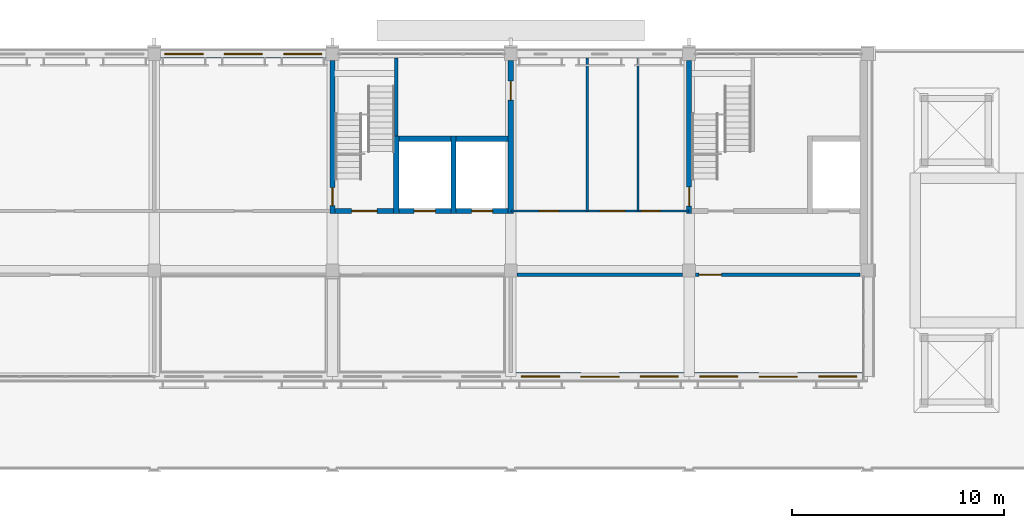
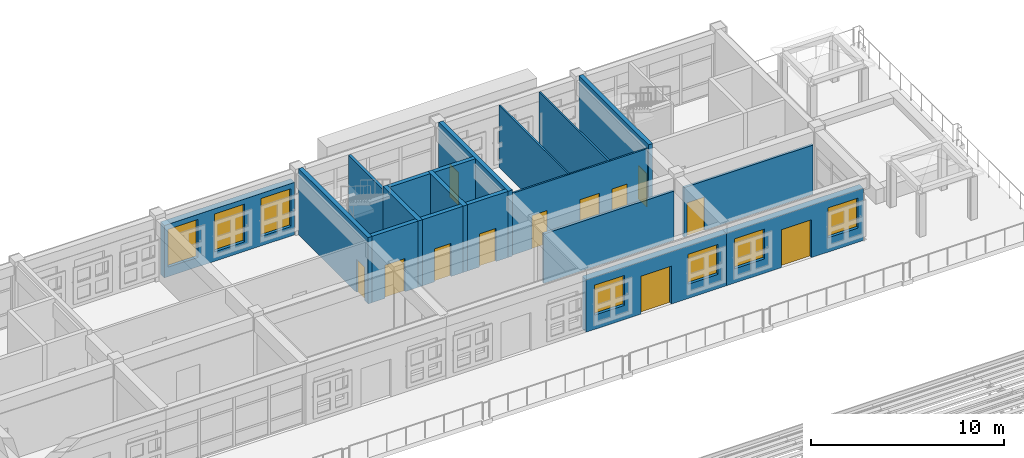
# One storey, part 43 of 71: 19 walls, 12 doors, 7 windows, 19 openings.
"""IFC4 building model written with IfcOpenShell, lengths in metres."""

from ifc_helpers import new_model, si_unit, direction, frame, frame_2d, origin, place, context, subcontext, project, spatial, rectangle, extrude, material, layer, layer_set, type_object, element, fill, save


model = new_model("IFC4")

# Units and contexts
model_context = context("Model", 3, precision=1e-05, world=origin(), true_north=direction((0.0, 1.0)))
body_context = subcontext(model_context, "Body", "Model", "MODEL_VIEW")
ifc_project = project(units=[si_unit("LENGTHUNIT", "METRE"), si_unit("AREAUNIT", "SQUARE_METRE"), si_unit("VOLUMEUNIT", "CUBIC_METRE"), si_unit("PLANEANGLEUNIT", "RADIAN"), si_unit("MASSUNIT", "GRAM", prefix="KILO")], contexts=[model_context])

# Site, building, storey
site_placement = place(None, origin())
site = spatial("IfcSite", under=ifc_project, at=site_placement, CompositionType="ELEMENT")
building_placement = place(site_placement, origin())
building = spatial("IfcBuilding", under=site, at=building_placement, Name="Wasatch Bagh Community Centre", CompositionType="ELEMENT")
storey_placement = place(building_placement, frame((0.0, 0.0, 12.60009765625)))
storey = spatial("IfcBuildingStorey", under=building, at=storey_placement, Name="L03", CompositionType="ELEMENT", Elevation=12.60009765625)

# Wall, opening, door
ifc_material_1 = material(Name="Concrete C40", Category="concrete")
ifc_layer_1 = layer(ifc_material_1, 0.25)
ifc_layer_set_1 = layer_set([ifc_layer_1], Name="Concrete C40")
wall_type_1 = type_object("IfcWallType", Name="LW core wall 250", PredefinedType="SHEAR", material=ifc_layer_set_1)
wall_1_placement = place(storey_placement, frame((106.125, 90.39990234375, 0.0), z_axis=(0.0, 0.0, 1.0), x_axis=(1.0, 0.0, 0.0)))
wall_1 = element("IfcWall", 1, at=wall_1_placement, inside=storey, type_object=wall_type_1, Name="LW.swall.L03.03", PredefinedType="SHEAR", context=body_context, shape_type="SweptSolid", body=[
    extrude(rectangle(XDim=2.75, YDim=0.25, at=frame_2d((1.375, 0.0))), origin(), (0.0, 0.0, 1.0), 4.199951171875),
])
opening_1_placement = place(wall_1_placement, frame((0.77490234375, 0.0, 0.0)))
opening_1 = element("IfcOpeningElement", 2, at=opening_1_placement, cuts=wall_1, Name="Opening 3L-24", PredefinedType="OPENING", context=body_context, shape_type="SweptSolid", body=[
    extrude(rectangle(XDim=1.199951171875, YDim=2.10009765625, at=frame_2d((0.60009765625, 1.050048828125))), frame((0.0, 0.135009765625, 0.0), z_axis=(0.0, -1.0, 0.0), x_axis=(1.0, 0.0, 0.0)), (0.0, 0.0, 1.0), 0.27001953125),
])
ifc_material_2 = material(Name="Painted timber", Category="wood")
door_type_1 = type_object("IfcDoorType", Name="LW stair door 1200x2100", OperationType="SINGLE_SWING_LEFT", PredefinedType="DOOR", material=ifc_material_2)
door_1_placement = place(opening_1_placement, origin())
door_1 = element("IfcDoor", 3, at=door_1_placement, inside=storey, type_object=door_type_1, Name="Stair door 3L-24", OperationType="SINGLE_SWING_RIGHT", OverallHeight=2.10009765625, OverallWidth=1.199951171875, PredefinedType="DOOR", context=body_context, shape_type="SweptSolid", body=[
    extrude(rectangle(XDim=1.199951171875, YDim=2.10009765625, at=frame_2d((0.60009765625, 1.050048828125))), frame((0.0, 0.02490234375, 0.0), z_axis=(0.0, -1.0, 0.0), x_axis=(1.0, 0.0, 0.0)), (0.0, 0.0, 1.0), 0.050048828125),
])
fill(opening_1, door_1)

wall_2_placement = place(storey_placement, frame((109.125, 90.39990234375, 0.0), z_axis=(0.0, 0.0, 1.0), x_axis=(1.0, 0.0, 0.0)))
wall_2 = element("IfcWall", 4, at=wall_2_placement, inside=storey, type_object=wall_type_1, Name="LW.swall.L03.04", PredefinedType="SHEAR", context=body_context, shape_type="SweptSolid", body=[
    extrude(rectangle(XDim=2.449951171875, YDim=0.25, at=frame_2d((1.22509765625, 0.0))), origin(), (0.0, 0.0, 1.0), 4.199951171875),
])
opening_2_placement = place(wall_2_placement, frame((0.72509765625, 0.0, 0.0)))
opening_2 = element("IfcOpeningElement", 5, at=opening_2_placement, cuts=wall_2, Name="Opening 3L-25", PredefinedType="OPENING", context=body_context, shape_type="SweptSolid", body=[
    extrude(rectangle(XDim=1.0, YDim=2.10009765625, at=frame_2d((0.5, 1.050048828125))), frame((0.0, 0.135009765625, 0.0), z_axis=(0.0, -1.0, 0.0), x_axis=(1.0, 0.0, 0.0)), (0.0, 0.0, 1.0), 0.27001953125),
])
ifc_material_3 = material(Name="Stainless steel landing door", Category="steel")
door_type_2 = type_object("IfcDoorType", Name="Lift landing door 1000 x 2100", OperationType="SLIDING_TO_LEFT", PredefinedType="DOOR", material=ifc_material_3)
door_2_placement = place(opening_2_placement, origin())
door_2 = element("IfcDoor", 6, at=door_2_placement, inside=storey, type_object=door_type_2, Name="Lift landing door LD 3L-25", OperationType="SLIDING_TO_LEFT", OverallHeight=2.10009765625, OverallWidth=1.0, PredefinedType="DOOR", context=body_context, shape_type="SweptSolid", body=[
    extrude(rectangle(XDim=1.0, YDim=2.10009765625, at=frame_2d((0.5, 1.050048828125))), frame((0.0, 0.02490234375, 0.0), z_axis=(0.0, -1.0, 0.0), x_axis=(1.0, 0.0, 0.0)), (0.0, 0.0, 1.0), 0.050048828125),
])
fill(opening_2, door_2)

wall_3_placement = place(storey_placement, frame((111.824951171875, 90.39990234375, 0.0), z_axis=(0.0, 0.0, 1.0), x_axis=(1.0, 0.0, 0.0)))
wall_3 = element("IfcWall", 7, at=wall_3_placement, inside=storey, type_object=wall_type_1, Name="LW.swall.L03.05", PredefinedType="SHEAR", context=body_context, shape_type="SweptSolid", body=[
    extrude(rectangle(XDim=2.449951171875, YDim=0.25, at=frame_2d((1.22509765625, 0.0))), origin(), (0.0, 0.0, 1.0), 4.199951171875),
])
opening_3_placement = place(wall_3_placement, frame((0.72509765625, 0.0, 0.0)))
opening_3 = element("IfcOpeningElement", 8, at=opening_3_placement, cuts=wall_3, Name="Opening 3L-26", PredefinedType="OPENING", context=body_context, shape_type="SweptSolid", body=[
    extrude(rectangle(XDim=1.0, YDim=2.10009765625, at=frame_2d((0.5, 1.050048828125))), frame((0.0, 0.135009765625, 0.0), z_axis=(0.0, -1.0, 0.0), x_axis=(1.0, 0.0, 0.0)), (0.0, 0.0, 1.0), 0.27001953125),
])
door_3_placement = place(opening_3_placement, origin())
door_3 = element("IfcDoor", 9, at=door_3_placement, inside=storey, type_object=door_type_2, Name="Lift landing door LD 3L-26", OperationType="SLIDING_TO_LEFT", OverallHeight=2.10009765625, OverallWidth=1.0, PredefinedType="DOOR", context=body_context, shape_type="SweptSolid", body=[
    extrude(rectangle(XDim=1.0, YDim=2.10009765625, at=frame_2d((0.5, 1.050048828125))), frame((0.0, 0.02490234375, 0.0), z_axis=(0.0, -1.0, 0.0), x_axis=(1.0, 0.0, 0.0)), (0.0, 0.0, 1.0), 0.050048828125),
])
fill(opening_3, door_3)

# Walls
for number, where, z_axis, x_axis, name in (
    (10, (109.125, 93.800048828125, 0.0), (0.0, 0.0, 1.0), (1.0, 0.0, 0.0), "LW.swall.L03.09"),
    (11, (111.824951171875, 93.800048828125, 0.0), (0.0, 0.0, 1.0), (1.0, 0.0, 0.0), "LW.swall.L03.10"),
):
    element("IfcWall", number, at=place(storey_placement, frame(where, z_axis=z_axis, x_axis=x_axis)), inside=storey, type_object=wall_type_1, Name=name, PredefinedType="SHEAR", context=body_context, shape_type="SweptSolid", body=[
        extrude(rectangle(XDim=2.449951171875, YDim=0.25, at=frame_2d((1.22509765625, 0.0))), origin(), (0.0, 0.0, 1.0), 4.199951171875),
    ])

# Wall, opening, door
wall_4_placement = place(storey_placement, frame((106.0, 90.27490234375, 0.0), z_axis=(0.0, 0.0, 1.0), x_axis=(0.0, 1.0, 0.0)))
wall_4 = element("IfcWall", 12, at=wall_4_placement, inside=storey, type_object=wall_type_1, Name="LW.swall.L03.16", PredefinedType="SHEAR", context=body_context, shape_type="SweptSolid", body=[
    extrude(rectangle(XDim=7.22509765625, YDim=0.25, at=frame_2d((3.612548828125, 0.0))), origin(), (0.0, 0.0, 1.0), 4.199951171875),
])
opening_4_placement = place(wall_4_placement, frame((0.375, 0.0, 0.0)))
opening_4 = element("IfcOpeningElement", 13, at=opening_4_placement, cuts=wall_4, Name="Opening 3L-16", PredefinedType="OPENING", context=body_context, shape_type="SweptSolid", body=[
    extrude(rectangle(XDim=0.85009765625, YDim=2.10009765625, at=frame_2d((0.425048828125, 1.050048828125))), frame((0.0, 0.135009765625, 0.0), z_axis=(0.0, -1.0, 0.0), x_axis=(1.0, 0.0, 0.0)), (0.0, 0.0, 1.0), 0.27001953125),
])
door_type_3 = type_object("IfcDoorType", Name="LW office door 850x2100", OperationType="SINGLE_SWING_LEFT", PredefinedType="DOOR", material=ifc_material_2)
door_4_placement = place(opening_4_placement, origin())
door_4 = element("IfcDoor", 14, at=door_4_placement, inside=storey, type_object=door_type_3, Name="Door Board Room 3L-16", OperationType="SINGLE_SWING_RIGHT", OverallHeight=2.10009765625, OverallWidth=0.85009765625, PredefinedType="DOOR", context=body_context, shape_type="SweptSolid", body=[
    extrude(rectangle(XDim=0.85009765625, YDim=2.10009765625, at=frame_2d((0.425048828125, 1.050048828125))), frame((0.0, 0.02490234375, 0.0), z_axis=(0.0, -1.0, 0.0), x_axis=(1.0, 0.0, 0.0)), (0.0, 0.0, 1.0), 0.050048828125),
])
fill(opening_4, door_4)

# Walls
for number, where, z_axis, x_axis, name in (
    (15, (109.0, 90.27490234375, 0.0), (0.0, 0.0, 1.0), (0.0, 1.0, 0.0), "LW.swall.L03.17"),
    (16, (111.699951171875, 90.27490234375, 0.0), (0.0, 0.0, 1.0), (0.0, 1.0, 0.0), "LW.swall.L03.18"),
):
    element("IfcWall", number, at=place(storey_placement, frame(where, z_axis=z_axis, x_axis=x_axis)), inside=storey, type_object=wall_type_1, Name=name, PredefinedType="SHEAR", context=body_context, shape_type="SweptSolid", body=[
        extrude(rectangle(XDim=3.650146484375, YDim=0.25, at=frame_2d((1.8251953125, 0.0))), origin(), (0.0, 0.0, 1.0), 4.199951171875),
    ])

# Wall, opening, door
wall_5_placement = place(storey_placement, frame((114.39990234375, 90.27490234375, 0.0), z_axis=(0.0, 0.0, 1.0), x_axis=(0.0, 1.0, 0.0)))
wall_5 = element("IfcWall", 17, at=wall_5_placement, inside=storey, type_object=wall_type_1, Name="LW.swall.L03.19", PredefinedType="SHEAR", context=body_context, shape_type="SweptSolid", body=[
    extrude(rectangle(XDim=7.22509765625, YDim=0.25, at=frame_2d((3.612548828125, 0.0))), origin(), (0.0, 0.0, 1.0), 4.199951171875),
])
opening_5_placement = place(wall_5_placement, frame((5.35009765625, 0.0, 0.0)))
opening_5 = element("IfcOpeningElement", 18, at=opening_5_placement, cuts=wall_5, Name="Opening 3L-18", PredefinedType="OPENING", context=body_context, shape_type="SweptSolid", body=[
    extrude(rectangle(XDim=0.89990234375, YDim=2.10009765625, at=frame_2d((0.449951171875, 1.050048828125))), frame((0.0, 0.135009765625, 0.0), z_axis=(0.0, -1.0, 0.0), x_axis=(1.0, 0.0, 0.0)), (0.0, 0.0, 1.0), 0.27001953125),
])
door_type_4 = type_object("IfcDoorType", Name="LW WC door 900x2100", OperationType="SINGLE_SWING_LEFT", PredefinedType="DOOR", material=ifc_material_2)
door_5_placement = place(opening_5_placement, origin())
door_5 = element("IfcDoor", 19, at=door_5_placement, inside=storey, type_object=door_type_4, Name="Door Women's Toilets 3L-18", OperationType="SINGLE_SWING_RIGHT", OverallHeight=2.10009765625, OverallWidth=0.89990234375, PredefinedType="DOOR", context=body_context, shape_type="SweptSolid", body=[
    extrude(rectangle(XDim=0.89990234375, YDim=2.10009765625, at=frame_2d((0.449951171875, 1.050048828125))), frame((0.0, 0.02490234375, 0.0), z_axis=(0.0, -1.0, 0.0), x_axis=(1.0, 0.0, 0.0)), (0.0, 0.0, 1.0), 0.050048828125),
])
fill(opening_5, door_5)

wall_6_placement = place(storey_placement, frame((122.800048828125, 90.27490234375, 0.0), z_axis=(0.0, 0.0, 1.0), x_axis=(0.0, 1.0, 0.0)))
wall_6 = element("IfcWall", 20, at=wall_6_placement, inside=storey, type_object=wall_type_1, Name="LW.swall.L03.20", PredefinedType="SHEAR", context=body_context, shape_type="SweptSolid", body=[
    extrude(rectangle(XDim=7.22509765625, YDim=0.25, at=frame_2d((3.612548828125, 0.0))), origin(), (0.0, 0.0, 1.0), 4.199951171875),
])
opening_6_placement = place(wall_6_placement, frame((0.35009765625, 0.0, 0.0)))
opening_6 = element("IfcOpeningElement", 21, at=opening_6_placement, cuts=wall_6, Name="Opening 3L-21", PredefinedType="OPENING", context=body_context, shape_type="SweptSolid", body=[
    extrude(rectangle(XDim=0.89990234375, YDim=2.10009765625, at=frame_2d((0.449951171875, 1.050048828125))), frame((0.0, 0.135009765625, 0.0), z_axis=(0.0, -1.0, 0.0), x_axis=(1.0, 0.0, 0.0)), (0.0, 0.0, 1.0), 0.27001953125),
])
door_6_placement = place(opening_6_placement, origin())
door_6 = element("IfcDoor", 22, at=door_6_placement, inside=storey, type_object=door_type_4, Name="Door Men's Toilets 3L-21", OperationType="SINGLE_SWING_LEFT", OverallHeight=2.10009765625, OverallWidth=0.89990234375, PredefinedType="DOOR", context=body_context, shape_type="SweptSolid", body=[
    extrude(rectangle(XDim=0.89990234375, YDim=2.10009765625, at=frame_2d((0.449951171875, 1.050048828125))), frame((0.0, 0.02490234375, 0.0), z_axis=(0.0, -1.0, 0.0), x_axis=(1.0, 0.0, 0.0)), (0.0, 0.0, 1.0), 0.050048828125),
])
fill(opening_6, door_6)

# Wall, openings, door, windows
ifc_material_4 = material(Name="Concrete C35", Category="concrete")
ifc_layer_2 = layer(ifc_material_4, 0.39990234375)
ifc_layer_set_2 = layer_set([ifc_layer_2], Name="Concrete C35")
wall_type_2 = type_object("IfcWallType", Name="LW facade wall 400", PredefinedType="SOLIDWALL", material=ifc_layer_set_2)
wall_7_placement = place(storey_placement, frame((114.39990234375, 82.60009765625, 0.0), z_axis=(0.0, 0.0, 1.0), x_axis=(1.0, 0.0, 0.0)))
wall_7 = element("IfcWall", 23, at=wall_7_placement, inside=storey, type_object=wall_type_2, Name="Facade wall", PredefinedType="SOLIDWALL", context=body_context, shape_type="SweptSolid", body=[
    extrude(rectangle(XDim=8.400146484375, YDim=0.39990234375, at=frame_2d((4.2001953125, 0.0))), origin(), (0.0, 0.0, 1.0), 3.31982421875),
])
opening_7_placement = place(wall_7_placement, frame((3.300048828125, 0.0, 0.0)))
opening_7 = element("IfcOpeningElement", 24, at=opening_7_placement, cuts=wall_7, Name="Opening 3L-05", PredefinedType="OPENING", context=body_context, shape_type="SweptSolid", body=[
    extrude(rectangle(XDim=1.800048828125, YDim=2.39990234375, at=frame_2d((0.89990234375, 1.199951171875))), frame((0.0, 0.2099609375, 0.0), z_axis=(0.0, -1.0, 0.0), x_axis=(1.0, 0.0, 0.0)), (0.0, 0.0, 1.0), 0.419921875),
])
opening_8_placement = place(wall_7_placement, frame((0.5, 0.0, 0.89990234375)))
opening_8 = element("IfcOpeningElement", 25, at=opening_8_placement, cuts=wall_7, Name="Opening 3L-W009", PredefinedType="OPENING", context=body_context, shape_type="SweptSolid", body=[
    extrude(rectangle(XDim=1.800048828125, YDim=1.89990234375, at=frame_2d((0.89990234375, 0.949951171875))), frame((0.0, 0.2099609375, 0.0), z_axis=(0.0, -1.0, 0.0), x_axis=(1.0, 0.0, 0.0)), (0.0, 0.0, 1.0), 0.419921875),
])
opening_9_placement = place(wall_7_placement, frame((6.10009765625, 0.0, 0.89990234375)))
opening_9 = element("IfcOpeningElement", 26, at=opening_9_placement, cuts=wall_7, Name="Opening 3L-W010", PredefinedType="OPENING", context=body_context, shape_type="SweptSolid", body=[
    extrude(rectangle(XDim=1.800048828125, YDim=1.89990234375, at=frame_2d((0.89990234375, 0.949951171875))), frame((0.0, 0.2099609375, 0.0), z_axis=(0.0, -1.0, 0.0), x_axis=(1.0, 0.0, 0.0)), (0.0, 0.0, 1.0), 0.419921875),
])
ifc_material_5 = material(Name="Aluminium framed glazed door", Category="aluminium")
door_type_5 = type_object("IfcDoorType", Name="LW terrace door pair 1800x2400", OperationType="DOUBLE_DOOR_SINGLE_SWING", PredefinedType="DOOR", material=ifc_material_5)
door_7_placement = place(opening_7_placement, origin())
door_7 = element("IfcDoor", 27, at=door_7_placement, inside=storey, type_object=door_type_5, Name="Terrace door 3L-05", OperationType="DOUBLE_DOOR_SINGLE_SWING", OverallHeight=2.39990234375, OverallWidth=1.800048828125, PredefinedType="DOOR", context=body_context, shape_type="SweptSolid", body=[
    extrude(rectangle(XDim=1.800048828125, YDim=2.39990234375, at=frame_2d((0.89990234375, 1.199951171875))), frame((0.0, 0.02490234375, 0.0), z_axis=(0.0, -1.0, 0.0), x_axis=(1.0, 0.0, 0.0)), (0.0, 0.0, 1.0), 0.050048828125),
])
fill(opening_7, door_7)
ifc_material_6 = material(Name="Aluminium framed double glazing", Category="aluminium")
window_type_1 = type_object("IfcWindowType", Name="LW window 1800x1900", PartitioningType="SINGLE_PANEL", PredefinedType="WINDOW", material=ifc_material_6)
window_1_placement = place(opening_8_placement, origin())
window_1 = element("IfcWindow", 28, at=window_1_placement, inside=storey, type_object=window_type_1, Name="Window 3L-W009", OverallHeight=1.89990234375, OverallWidth=1.800048828125, PartitioningType="SINGLE_PANEL", PredefinedType="WINDOW", context=body_context, shape_type="SweptSolid", body=[
    extrude(rectangle(XDim=1.800048828125, YDim=1.89990234375, at=frame_2d((0.89990234375, 0.949951171875))), frame((0.0, 0.030029296875, 0.0), z_axis=(0.0, -1.0, 0.0), x_axis=(1.0, 0.0, 0.0)), (0.0, 0.0, 1.0), 0.06005859375),
])
fill(opening_8, window_1)
window_2_placement = place(opening_9_placement, origin())
window_2 = element("IfcWindow", 29, at=window_2_placement, inside=storey, type_object=window_type_1, Name="Window 3L-W010", OverallHeight=1.89990234375, OverallWidth=1.800048828125, PartitioningType="SINGLE_PANEL", PredefinedType="WINDOW", context=body_context, shape_type="SweptSolid", body=[
    extrude(rectangle(XDim=1.800048828125, YDim=1.89990234375, at=frame_2d((0.89990234375, 0.949951171875))), frame((0.0, 0.030029296875, 0.0), z_axis=(0.0, -1.0, 0.0), x_axis=(1.0, 0.0, 0.0)), (0.0, 0.0, 1.0), 0.06005859375),
])
fill(opening_9, window_2)

wall_8_placement = place(storey_placement, frame((122.800048828125, 82.60009765625, 0.0), z_axis=(0.0, 0.0, 1.0), x_axis=(1.0, 0.0, 0.0)))
wall_8 = element("IfcWall", 30, at=wall_8_placement, inside=storey, type_object=wall_type_2, Name="Facade wall", PredefinedType="SOLIDWALL", context=body_context, shape_type="SweptSolid", body=[
    extrude(rectangle(XDim=8.21484375, YDim=0.39990234375, at=frame_2d((4.107421875, 0.0))), origin(), (0.0, 0.0, 1.0), 3.31982421875),
])
opening_10_placement = place(wall_8_placement, frame((3.300048828125, 0.0, 0.0)))
opening_10 = element("IfcOpeningElement", 31, at=opening_10_placement, cuts=wall_8, Name="Opening 3L-06", PredefinedType="OPENING", context=body_context, shape_type="SweptSolid", body=[
    extrude(rectangle(XDim=1.800048828125, YDim=2.39990234375, at=frame_2d((0.89990234375, 1.199951171875))), frame((0.0, 0.2099609375, 0.0), z_axis=(0.0, -1.0, 0.0), x_axis=(1.0, 0.0, 0.0)), (0.0, 0.0, 1.0), 0.419921875),
])
opening_11_placement = place(wall_8_placement, frame((0.5, 0.0, 0.89990234375)))
opening_11 = element("IfcOpeningElement", 32, at=opening_11_placement, cuts=wall_8, Name="Opening 3L-W011", PredefinedType="OPENING", context=body_context, shape_type="SweptSolid", body=[
    extrude(rectangle(XDim=1.800048828125, YDim=1.89990234375, at=frame_2d((0.89990234375, 0.949951171875))), frame((0.0, 0.2099609375, 0.0), z_axis=(0.0, -1.0, 0.0), x_axis=(1.0, 0.0, 0.0)), (0.0, 0.0, 1.0), 0.419921875),
])
opening_12_placement = place(wall_8_placement, frame((6.10009765625, 0.0, 0.89990234375)))
opening_12 = element("IfcOpeningElement", 33, at=opening_12_placement, cuts=wall_8, Name="Opening 3L-W012", PredefinedType="OPENING", context=body_context, shape_type="SweptSolid", body=[
    extrude(rectangle(XDim=1.800048828125, YDim=1.89990234375, at=frame_2d((0.89990234375, 0.949951171875))), frame((0.0, 0.2099609375, 0.0), z_axis=(0.0, -1.0, 0.0), x_axis=(1.0, 0.0, 0.0)), (0.0, 0.0, 1.0), 0.419921875),
])
door_8_placement = place(opening_10_placement, origin())
door_8 = element("IfcDoor", 34, at=door_8_placement, inside=storey, type_object=door_type_5, Name="Terrace door 3L-06", OperationType="DOUBLE_DOOR_SINGLE_SWING", OverallHeight=2.39990234375, OverallWidth=1.800048828125, PredefinedType="DOOR", context=body_context, shape_type="SweptSolid", body=[
    extrude(rectangle(XDim=1.800048828125, YDim=2.39990234375, at=frame_2d((0.89990234375, 1.199951171875))), frame((0.0, 0.02490234375, 0.0), z_axis=(0.0, -1.0, 0.0), x_axis=(1.0, 0.0, 0.0)), (0.0, 0.0, 1.0), 0.050048828125),
])
fill(opening_10, door_8)
window_3_placement = place(opening_11_placement, origin())
window_3 = element("IfcWindow", 35, at=window_3_placement, inside=storey, type_object=window_type_1, Name="Window 3L-W011", OverallHeight=1.89990234375, OverallWidth=1.800048828125, PartitioningType="SINGLE_PANEL", PredefinedType="WINDOW", context=body_context, shape_type="SweptSolid", body=[
    extrude(rectangle(XDim=1.800048828125, YDim=1.89990234375, at=frame_2d((0.89990234375, 0.949951171875))), frame((0.0, 0.030029296875, 0.0), z_axis=(0.0, -1.0, 0.0), x_axis=(1.0, 0.0, 0.0)), (0.0, 0.0, 1.0), 0.06005859375),
])
fill(opening_11, window_3)
window_4_placement = place(opening_12_placement, origin())
window_4 = element("IfcWindow", 36, at=window_4_placement, inside=storey, type_object=window_type_1, Name="Window 3L-W012", OverallHeight=1.89990234375, OverallWidth=1.800048828125, PartitioningType="SINGLE_PANEL", PredefinedType="WINDOW", context=body_context, shape_type="SweptSolid", body=[
    extrude(rectangle(XDim=1.800048828125, YDim=1.89990234375, at=frame_2d((0.89990234375, 0.949951171875))), frame((0.0, 0.030029296875, 0.0), z_axis=(0.0, -1.0, 0.0), x_axis=(1.0, 0.0, 0.0)), (0.0, 0.0, 1.0), 0.06005859375),
])
fill(opening_12, window_4)

# Wall, openings, windows
wall_9_placement = place(storey_placement, frame((97.89990234375, 97.800048828125, 0.0), z_axis=(0.0, 0.0, 1.0), x_axis=(1.0, 0.0, 0.0)))
wall_9 = element("IfcWall", 37, at=wall_9_placement, inside=storey, type_object=wall_type_2, Name="Facade wall", PredefinedType="SOLIDWALL", context=body_context, shape_type="SweptSolid", body=[
    extrude(rectangle(XDim=7.800048828125, YDim=0.39990234375, at=frame_2d((3.89990234375, 0.0))), origin(), (0.0, 0.0, 1.0), 3.31982421875),
])
opening_13_placement = place(wall_9_placement, frame((0.199951171875, 0.0, 0.60009765625)))
opening_13 = element("IfcOpeningElement", 38, at=opening_13_placement, cuts=wall_9, Name="Opening 3L-W016", PredefinedType="OPENING", context=body_context, shape_type="SweptSolid", body=[
    extrude(rectangle(XDim=1.800048828125, YDim=2.39990234375, at=frame_2d((0.89990234375, 1.199951171875))), frame((0.0, 0.2099609375, 0.0), z_axis=(0.0, -1.0, 0.0), x_axis=(1.0, 0.0, 0.0)), (0.0, 0.0, 1.0), 0.419921875),
])
opening_14_placement = place(wall_9_placement, frame((3.0, 0.0, 0.60009765625)))
opening_14 = element("IfcOpeningElement", 39, at=opening_14_placement, cuts=wall_9, Name="Opening 3L-W017", PredefinedType="OPENING", context=body_context, shape_type="SweptSolid", body=[
    extrude(rectangle(XDim=1.800048828125, YDim=2.39990234375, at=frame_2d((0.89990234375, 1.199951171875))), frame((0.0, 0.2099609375, 0.0), z_axis=(0.0, -1.0, 0.0), x_axis=(1.0, 0.0, 0.0)), (0.0, 0.0, 1.0), 0.419921875),
])
opening_15_placement = place(wall_9_placement, frame((5.800048828125, 0.0, 0.60009765625)))
opening_15 = element("IfcOpeningElement", 40, at=opening_15_placement, cuts=wall_9, Name="Opening 3L-W018", PredefinedType="OPENING", context=body_context, shape_type="SweptSolid", body=[
    extrude(rectangle(XDim=1.800048828125, YDim=2.39990234375, at=frame_2d((0.89990234375, 1.199951171875))), frame((0.0, 0.2099609375, 0.0), z_axis=(0.0, -1.0, 0.0), x_axis=(1.0, 0.0, 0.0)), (0.0, 0.0, 1.0), 0.419921875),
])
window_type_2 = type_object("IfcWindowType", Name="LW board room window 1800x2400", PartitioningType="SINGLE_PANEL", PredefinedType="WINDOW", material=ifc_material_6)
window_5_placement = place(opening_13_placement, origin())
window_5 = element("IfcWindow", 41, at=window_5_placement, inside=storey, type_object=window_type_2, Name="Window 3L-W016", OverallHeight=2.39990234375, OverallWidth=1.800048828125, PartitioningType="SINGLE_PANEL", PredefinedType="WINDOW", context=body_context, shape_type="SweptSolid", body=[
    extrude(rectangle(XDim=1.800048828125, YDim=2.39990234375, at=frame_2d((0.89990234375, 1.199951171875))), frame((0.0, 0.030029296875, 0.0), z_axis=(0.0, -1.0, 0.0), x_axis=(1.0, 0.0, 0.0)), (0.0, 0.0, 1.0), 0.06005859375),
])
fill(opening_13, window_5)
window_6_placement = place(opening_14_placement, origin())
window_6 = element("IfcWindow", 42, at=window_6_placement, inside=storey, type_object=window_type_2, Name="Window 3L-W017", OverallHeight=2.39990234375, OverallWidth=1.800048828125, PartitioningType="SINGLE_PANEL", PredefinedType="WINDOW", context=body_context, shape_type="SweptSolid", body=[
    extrude(rectangle(XDim=1.800048828125, YDim=2.39990234375, at=frame_2d((0.89990234375, 1.199951171875))), frame((0.0, 0.030029296875, 0.0), z_axis=(0.0, -1.0, 0.0), x_axis=(1.0, 0.0, 0.0)), (0.0, 0.0, 1.0), 0.06005859375),
])
fill(opening_14, window_6)
window_7_placement = place(opening_15_placement, origin())
window_7 = element("IfcWindow", 43, at=window_7_placement, inside=storey, type_object=window_type_2, Name="Window 3L-W018", OverallHeight=2.39990234375, OverallWidth=1.800048828125, PartitioningType="SINGLE_PANEL", PredefinedType="WINDOW", context=body_context, shape_type="SweptSolid", body=[
    extrude(rectangle(XDim=1.800048828125, YDim=2.39990234375, at=frame_2d((0.89990234375, 1.199951171875))), frame((0.0, 0.030029296875, 0.0), z_axis=(0.0, -1.0, 0.0), x_axis=(1.0, 0.0, 0.0)), (0.0, 0.0, 1.0), 0.06005859375),
])
fill(opening_15, window_7)

# Wall
ifc_material_7 = material(Name="Gypsum board on steel studs", Category="steel")
ifc_layer_3 = layer(ifc_material_7, 0.14990234375)
ifc_layer_set_3 = layer_set([ifc_layer_3], Name="Gypsum board on steel studs")
wall_type_3 = type_object("IfcWallType", Name="LW partition 150", PredefinedType="PARTITIONING", material=ifc_layer_set_3)
wall_10_placement = place(storey_placement, frame((114.699951171875, 87.39990234375, 0.0), z_axis=(0.0, 0.0, 1.0), x_axis=(1.0, 0.0, 0.0)))
element("IfcWall", 44, at=wall_10_placement, inside=storey, type_object=wall_type_3, Name="LW.part.L03.006", PredefinedType="PARTITIONING", context=body_context, shape_type="SweptSolid", body=[
    extrude(rectangle(XDim=7.800048828125, YDim=0.14990234375, at=frame_2d((3.89990234375, 0.0))), origin(), (0.0, 0.0, 1.0), 3.119873046875),
])

# Wall, opening, door
wall_11_placement = place(storey_placement, frame((123.10009765625, 87.39990234375, 0.0), z_axis=(0.0, 0.0, 1.0), x_axis=(1.0, 0.0, 0.0)))
wall_11 = element("IfcWall", 45, at=wall_11_placement, inside=storey, type_object=wall_type_3, Name="LW.part.L03.007", PredefinedType="PARTITIONING", context=body_context, shape_type="SweptSolid", body=[
    extrude(rectangle(XDim=7.75, YDim=0.14990234375, at=frame_2d((3.875, 0.0))), origin(), (0.0, 0.0, 1.0), 3.119873046875),
])
opening_16_placement = place(wall_11_placement, frame((0.175048828125, 0.0, 0.0)))
opening_16 = element("IfcOpeningElement", 46, at=opening_16_placement, cuts=wall_11, Name="Opening 3L-10", PredefinedType="OPENING", context=body_context, shape_type="SweptSolid", body=[
    extrude(rectangle(XDim=1.050048828125, YDim=2.10009765625, at=frame_2d((0.52490234375, 1.050048828125))), frame((0.0, 0.0849609375, 0.0), z_axis=(0.0, -1.0, 0.0), x_axis=(1.0, 0.0, 0.0)), (0.0, 0.0, 1.0), 0.169921875),
])
door_type_6 = type_object("IfcDoorType", Name="LW classroom door 1050x2100", OperationType="SINGLE_SWING_LEFT", PredefinedType="DOOR", material=ifc_material_2)
door_9_placement = place(opening_16_placement, origin())
door_9 = element("IfcDoor", 47, at=door_9_placement, inside=storey, type_object=door_type_6, Name="Door Garden Workshop 3L-10", OperationType="SINGLE_SWING_RIGHT", OverallHeight=2.10009765625, OverallWidth=1.050048828125, PredefinedType="DOOR", context=body_context, shape_type="SweptSolid", body=[
    extrude(rectangle(XDim=1.050048828125, YDim=2.10009765625, at=frame_2d((0.52490234375, 1.050048828125))), frame((0.0, 0.02490234375, 0.0), z_axis=(0.0, -1.0, 0.0), x_axis=(1.0, 0.0, 0.0)), (0.0, 0.0, 1.0), 0.050048828125),
])
fill(opening_16, door_9)

# Wall
wall_12_placement = place(storey_placement, frame((109.0, 93.925048828125, 0.0), z_axis=(0.0, 0.0, 1.0), x_axis=(0.0, 1.0, 0.0)))
element("IfcWall", 48, at=wall_12_placement, inside=storey, type_object=wall_type_3, Name="Stair compartment wall", PredefinedType="PARTITIONING", context=body_context, shape_type="SweptSolid", body=[
    extrude(rectangle(XDim=3.675048828125, YDim=0.14990234375, at=frame_2d((1.83740234375, 0.0))), origin(), (0.0, 0.0, 1.0), 3.919921875),
])

# Wall, openings, doors
ifc_material_8 = material(Name="Tiled blockwork", Category="masonry")
ifc_layer_4 = layer(ifc_material_8, 0.10009765625)
ifc_layer_set_4 = layer_set([ifc_layer_4], Name="Tiled blockwork")
wall_type_4 = type_object("IfcWallType", Name="LW wet-room partition 100", PredefinedType="PARTITIONING", material=ifc_layer_set_4)
wall_13_placement = place(storey_placement, frame((114.39990234375, 90.39990234375, 0.0), z_axis=(0.0, 0.0, 1.0), x_axis=(1.0, 0.0, 0.0)))
wall_13 = element("IfcWall", 49, at=wall_13_placement, inside=storey, type_object=wall_type_4, Name="LW.part.L03.010", PredefinedType="PARTITIONING", context=body_context, shape_type="SweptSolid", body=[
    extrude(rectangle(XDim=8.400146484375, YDim=0.10009765625, at=frame_2d((4.2001953125, 0.0))), origin(), (0.0, 0.0, 1.0), 3.919921875),
])
opening_17_placement = place(wall_13_placement, frame((1.35009765625, 0.0, 0.0)))
opening_17 = element("IfcOpeningElement", 50, at=opening_17_placement, cuts=wall_13, Name="Opening 3L-17", PredefinedType="OPENING", context=body_context, shape_type="SweptSolid", body=[
    extrude(rectangle(XDim=0.89990234375, YDim=2.10009765625, at=frame_2d((0.449951171875, 1.050048828125))), frame((0.0, 0.06005859375, 0.0), z_axis=(0.0, -1.0, 0.0), x_axis=(1.0, 0.0, 0.0)), (0.0, 0.0, 1.0), 0.1201171875),
])
opening_18_placement = place(wall_13_placement, frame((4.22509765625, 0.0, 0.0)))
opening_18 = element("IfcOpeningElement", 51, at=opening_18_placement, cuts=wall_13, Name="Opening 3L-19", PredefinedType="OPENING", context=body_context, shape_type="SweptSolid", body=[
    extrude(rectangle(XDim=1.14990234375, YDim=2.10009765625, at=frame_2d((0.574951171875, 1.050048828125))), frame((0.0, 0.06005859375, 0.0), z_axis=(0.0, -1.0, 0.0), x_axis=(1.0, 0.0, 0.0)), (0.0, 0.0, 1.0), 0.1201171875),
])
opening_19_placement = place(wall_13_placement, frame((6.14990234375, 0.0, 0.0)))
opening_19 = element("IfcOpeningElement", 52, at=opening_19_placement, cuts=wall_13, Name="Opening 3L-20", PredefinedType="OPENING", context=body_context, shape_type="SweptSolid", body=[
    extrude(rectangle(XDim=0.89990234375, YDim=2.10009765625, at=frame_2d((0.449951171875, 1.050048828125))), frame((0.0, 0.06005859375, 0.0), z_axis=(0.0, -1.0, 0.0), x_axis=(1.0, 0.0, 0.0)), (0.0, 0.0, 1.0), 0.1201171875),
])
door_10_placement = place(opening_17_placement, origin())
door_10 = element("IfcDoor", 53, at=door_10_placement, inside=storey, type_object=door_type_4, Name="Door Women's Toilets 3L-17", OperationType="SINGLE_SWING_LEFT", OverallHeight=2.10009765625, OverallWidth=0.89990234375, PredefinedType="DOOR", context=body_context, shape_type="SweptSolid", body=[
    extrude(rectangle(XDim=0.89990234375, YDim=2.10009765625, at=frame_2d((0.449951171875, 1.050048828125))), frame((0.0, 0.02490234375, 0.0), z_axis=(0.0, -1.0, 0.0), x_axis=(1.0, 0.0, 0.0)), (0.0, 0.0, 1.0), 0.050048828125),
])
fill(opening_17, door_10)
door_11_placement = place(opening_19_placement, origin())
door_11 = element("IfcDoor", 54, at=door_11_placement, inside=storey, type_object=door_type_4, Name="Door Men's Toilets 3L-20", OperationType="SINGLE_SWING_RIGHT", OverallHeight=2.10009765625, OverallWidth=0.89990234375, PredefinedType="DOOR", context=body_context, shape_type="SweptSolid", body=[
    extrude(rectangle(XDim=0.89990234375, YDim=2.10009765625, at=frame_2d((0.449951171875, 1.050048828125))), frame((0.0, 0.02490234375, 0.0), z_axis=(0.0, -1.0, 0.0), x_axis=(1.0, 0.0, 0.0)), (0.0, 0.0, 1.0), 0.050048828125),
])
fill(opening_19, door_11)
door_type_7 = type_object("IfcDoorType", Name="LW accessible WC door 1150x2100", OperationType="SINGLE_SWING_LEFT", PredefinedType="DOOR", material=ifc_material_2)
door_12_placement = place(opening_18_placement, origin())
door_12 = element("IfcDoor", 55, at=door_12_placement, inside=storey, type_object=door_type_7, Name="Door Accessible WC 4 3L-19", OperationType="SINGLE_SWING_LEFT", OverallHeight=2.10009765625, OverallWidth=1.14990234375, PredefinedType="DOOR", context=body_context, shape_type="SweptSolid", body=[
    extrude(rectangle(XDim=1.14990234375, YDim=2.10009765625, at=frame_2d((0.574951171875, 1.050048828125))), frame((0.0, 0.02490234375, 0.0), z_axis=(0.0, -1.0, 0.0), x_axis=(1.0, 0.0, 0.0)), (0.0, 0.0, 1.0), 0.050048828125),
])
fill(opening_18, door_12)

# Walls
for number, where, z_axis, x_axis, name in (
    (56, (118.0, 90.39990234375, 0.0), (0.0, 0.0, 1.0), (0.0, 1.0, 0.0), "LW.part.L03.015"),
    (57, (120.39990234375, 90.39990234375, 0.0), (0.0, 0.0, 1.0), (0.0, 1.0, 0.0), "LW.part.L03.016"),
):
    element("IfcWall", number, at=place(storey_placement, frame(where, z_axis=z_axis, x_axis=x_axis)), inside=storey, type_object=wall_type_4, Name=name, PredefinedType="PARTITIONING", context=body_context, shape_type="SweptSolid", body=[
        extrude(rectangle(XDim=7.2001953125, YDim=0.10009765625, at=frame_2d((3.60009765625, 0.0))), origin(), (0.0, 0.0, 1.0), 3.919921875),
    ])

save(model, "model.ifc")
